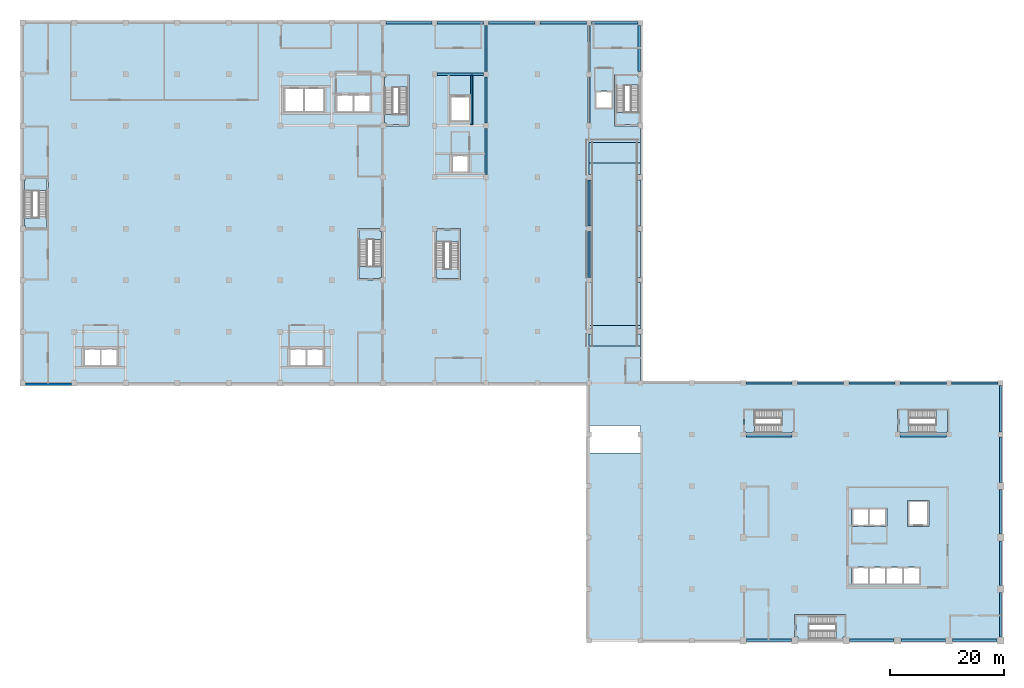
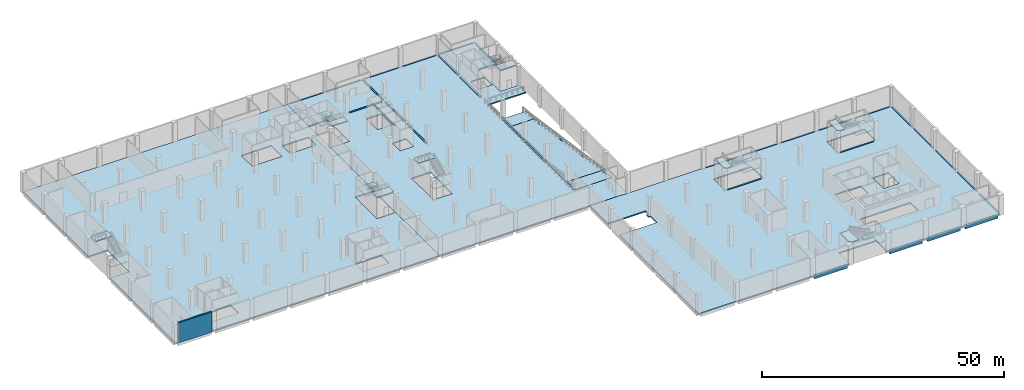
# One storey, part 2 of 16: 31 beams, 22 slabs, 1 wall, 8 elements without a shape of their own.
"""IFC4 building model written with IfcOpenShell, lengths in metres."""

from ifc_helpers import new_model, si_unit, direction, frame, frame_2d, origin, origin_2d, place, context, subcontext, project, spatial, polyline, rectangle, outline, extrude, material, layer, layer_set, material_profile, profile_set, type_object, element, aggregate, save


model = new_model("IFC4")

# Units and contexts
model_context = context("Model", 3, precision=1e-05, world=origin(), true_north=direction((0.0, 1.0)))
body_context = subcontext(model_context, "Body", "Model", "MODEL_VIEW")
ifc_project = project(units=[si_unit("LENGTHUNIT", "METRE"), si_unit("AREAUNIT", "SQUARE_METRE"), si_unit("VOLUMEUNIT", "CUBIC_METRE"), si_unit("PLANEANGLEUNIT", "RADIAN"), si_unit("MASSUNIT", "GRAM", prefix="KILO")], contexts=[model_context])

# Site, building, storey
site_placement = place(None, origin())
site = spatial("IfcSite", under=ifc_project, at=site_placement, CompositionType="ELEMENT")
building_placement = place(site_placement, origin())
building = spatial("IfcBuilding", under=site, at=building_placement, Name="Guidao Yard Department Store", CompositionType="ELEMENT")
storey_placement = place(building_placement, frame((0.0, 0.0, -5.10009765625)))
storey = spatial("IfcBuildingStorey", under=building, at=storey_placement, Name="B1", CompositionType="ELEMENT", Elevation=-5.10009765625)

# Beams
ifc_material_1 = material(Name="Concrete C40", Category="concrete")
ifc_material_profile_1 = material_profile(ifc_material_1, rectangle(XDim=0.39990234375, YDim=0.800048828125, at=origin_2d()), Name="Edge beam 400 x 800 C40")
ifc_profile_set_1 = profile_set([ifc_material_profile_1], Name="Concrete C40")
beam_type_1 = type_object("IfcBeamType", Name="Edge beam 400 x 800 C40", PredefinedType="BEAM", material=ifc_profile_set_1)
for number, where, z_axis, x_axis, name in (
    (1, (81.0, 81.449951171875, -0.39990234375), (0.0, 1.0, 0.0), (-1.0, 0.0, 0.0), "Beam EB47"),
    (2, (81.0, 90.449951171875, -0.39990234375), (0.0, 1.0, 0.0), (-1.0, 0.0, 0.0), "Beam EB48"),
    (3, (81.0, 99.449951171875, -0.39990234375), (0.0, 1.0, 0.0), (-1.0, 0.0, 0.0), "Beam EB49"),
    (4, (99.0, 90.449951171875, -0.39990234375), (0.0, 1.0, 0.0), (-1.0, 0.0, 0.0), "Beam EB50"),
    (5, (99.0, 99.449951171875, -0.39990234375), (0.0, 1.0, 0.0), (-1.0, 0.0, 0.0), "Beam EB51"),
    (6, (126.449951171875, 35.800048828125, -0.39990234375), (1.0, 0.0, 0.0), (0.0, 1.0, 0.0), "Beam EB76"),
    (7, (153.449951171875, 35.800048828125, -0.39990234375), (1.0, 0.0, 0.0), (0.0, 1.0, 0.0), "Beam EB77"),
    (8, (72.449951171875, 99.0, -0.39990234375), (1.0, 0.0, 0.0), (0.0, 1.0, 0.0), "Beam EB93"),
):
    element("IfcBeam", number, at=place(storey_placement, frame(where, z_axis=z_axis, x_axis=x_axis)), inside=storey, type_object=beam_type_1, Name=name, PredefinedType="BEAM", context=body_context, shape_type="SweptSolid", body=[
        extrude(rectangle(XDim=0.39990234375, YDim=0.800048828125, at=origin_2d()), origin(), (0.0, 0.0, 1.0), 8.10009765625),
    ])
ifc_material_2 = material(Name="Concrete C40", Category="concrete")
ifc_material_profile_2 = material_profile(ifc_material_2, rectangle(XDim=0.300048828125, YDim=0.60009765625, at=origin_2d()), Name="Opening beam 300 x 600 C40")
ifc_profile_set_2 = profile_set([ifc_material_profile_2], Name="Concrete C40")
beam_type_2 = type_object("IfcBeamType", Name="Opening beam 300 x 600 C40", PredefinedType="BEAM", material=ifc_profile_set_2)
beam_1_placement = place(storey_placement, frame((78.5, 90.199951171875, -0.2998046875), z_axis=(0.0, 1.0, 0.0), x_axis=(-1.0, 0.0, 0.0)))
element("IfcBeam", 9, at=beam_1_placement, inside=storey, type_object=beam_type_2, Name="Beam OB22", PredefinedType="BEAM", context=body_context, shape_type="SweptSolid", body=[
    extrude(rectangle(XDim=0.300048828125, YDim=0.60009765625, at=origin_2d()), origin(), (0.0, 0.0, 1.0), 8.60009765625),
])
ifc_material_3 = material(Name="Concrete C40", Category="concrete")
ifc_material_profile_3 = material_profile(ifc_material_3, rectangle(XDim=0.39990234375, YDim=0.800048828125, at=origin_2d()), Name="Spandrel beam 400 x 800 C40")
ifc_profile_set_3 = profile_set([ifc_material_profile_3], Name="Concrete C40")
beam_type_3 = type_object("IfcBeamType", Name="Spandrel beam 400 x 800 C40", PredefinedType="SPANDREL", material=ifc_profile_set_3)
beam_2_placement = place(storey_placement, frame((63.5, 108.0, -0.39990234375), z_axis=(1.0, 0.0, 0.0), x_axis=(0.0, 1.0, 0.0)))
element("IfcBeam", 10, at=beam_2_placement, inside=storey, type_object=beam_type_3, Name="Beam EB28", PredefinedType="SPANDREL", context=body_context, shape_type="SweptSolid", body=[
    extrude(rectangle(XDim=0.39990234375, YDim=0.800048828125, at=origin_2d()), origin(), (0.0, 0.0, 1.0), 8.050048828125),
])
for number, where, z_axis, x_axis, name in (
    (11, (72.449951171875, 108.0, -0.39990234375), (1.0, 0.0, 0.0), (0.0, 1.0, 0.0), "Beam EB29"),
    (12, (81.449951171875, 108.0, -0.39990234375), (1.0, 0.0, 0.0), (0.0, 1.0, 0.0), "Beam EB30"),
    (13, (90.449951171875, 108.0, -0.39990234375), (1.0, 0.0, 0.0), (0.0, 1.0, 0.0), "Beam EB31"),
    (14, (99.449951171875, 108.0, -0.39990234375), (1.0, 0.0, 0.0), (0.0, 1.0, 0.0), "Beam EB32"),
    (15, (107.800048828125, 99.449951171875, -0.39990234375), (0.0, 1.0, 0.0), (-1.0, 0.0, 0.0), "Beam EB33"),
    (16, (99.0, 63.449951171875, -0.39990234375), (0.0, 1.0, 0.0), (-1.0, 0.0, 0.0), "Beam EB35"),
    (17, (99.0, 72.449951171875, -0.39990234375), (0.0, 1.0, 0.0), (-1.0, 0.0, 0.0), "Beam EB36"),
    (18, (126.449951171875, 45.0, -0.39990234375), (1.0, 0.0, 0.0), (0.0, 1.0, 0.0), "Beam EB54"),
    (19, (135.449951171875, 45.0, -0.39990234375), (1.0, 0.0, 0.0), (0.0, 1.0, 0.0), "Beam EB55"),
    (20, (144.449951171875, 45.0, -0.39990234375), (1.0, 0.0, 0.0), (0.0, 1.0, 0.0), "Beam EB56"),
    (21, (153.449951171875, 45.0, -0.39990234375), (1.0, 0.0, 0.0), (0.0, 1.0, 0.0), "Beam EB57"),
    (22, (162.449951171875, 45.0, -0.39990234375), (1.0, 0.0, 0.0), (0.0, 1.0, 0.0), "Beam EB58"),
):
    element("IfcBeam", number, at=place(storey_placement, frame(where, z_axis=z_axis, x_axis=x_axis)), inside=storey, type_object=beam_type_3, Name=name, PredefinedType="SPANDREL", context=body_context, shape_type="SweptSolid", body=[
        extrude(rectangle(XDim=0.39990234375, YDim=0.800048828125, at=origin_2d()), origin(), (0.0, 0.0, 1.0), 8.10009765625),
    ])
for number, where, z_axis, x_axis, name in (
    (23, (171.0, 0.60009765625, -0.39990234375), (0.0, 1.0, 0.0), (-1.0, 0.0, 0.0), "Beam EB59"),
    (24, (171.0, 9.60009765625, -0.39990234375), (0.0, 1.0, 0.0), (-1.0, 0.0, 0.0), "Beam EB60"),
    (25, (171.0, 18.60009765625, -0.39990234375), (0.0, 1.0, 0.0), (-1.0, 0.0, 0.0), "Beam EB61"),
):
    element("IfcBeam", number, at=place(storey_placement, frame(where, z_axis=z_axis, x_axis=x_axis)), inside=storey, type_object=beam_type_3, Name=name, PredefinedType="SPANDREL", context=body_context, shape_type="SweptSolid", body=[
        extrude(rectangle(XDim=0.39990234375, YDim=0.800048828125, at=origin_2d()), origin(), (0.0, 0.0, 1.0), 7.7998046875),
    ])
beam_3_placement = place(storey_placement, frame((171.0, 27.60009765625, -0.39990234375), z_axis=(0.0, 1.0, 0.0), x_axis=(-1.0, 0.0, 0.0)))
element("IfcBeam", 26, at=beam_3_placement, inside=storey, type_object=beam_type_3, Name="Beam EB62", PredefinedType="SPANDREL", context=body_context, shape_type="SweptSolid", body=[
    extrude(rectangle(XDim=0.39990234375, YDim=0.800048828125, at=origin_2d()), origin(), (0.0, 0.0, 1.0), 7.949951171875),
])
beam_4_placement = place(storey_placement, frame((171.0, 36.449951171875, -0.39990234375), z_axis=(0.0, 1.0, 0.0), x_axis=(-1.0, 0.0, 0.0)))
element("IfcBeam", 27, at=beam_4_placement, inside=storey, type_object=beam_type_3, Name="Beam EB63", PredefinedType="SPANDREL", context=body_context, shape_type="SweptSolid", body=[
    extrude(rectangle(XDim=0.39990234375, YDim=0.800048828125, at=origin_2d()), origin(), (0.0, 0.0, 1.0), 8.10009765625),
])
for number, where, z_axis, x_axis, name in (
    (28, (144.60009765625, 0.0, -0.39990234375), (1.0, 0.0, 0.0), (0.0, 1.0, 0.0), "Beam EB64"),
    (29, (153.60009765625, 0.0, -0.39990234375), (1.0, 0.0, 0.0), (0.0, 1.0, 0.0), "Beam EB65"),
    (30, (162.60009765625, 0.0, -0.39990234375), (1.0, 0.0, 0.0), (0.0, 1.0, 0.0), "Beam EB66"),
    (31, (126.60009765625, 0.0, -0.39990234375), (1.0, 0.0, 0.0), (0.0, 1.0, 0.0), "Beam EB70"),
):
    element("IfcBeam", number, at=place(storey_placement, frame(where, z_axis=z_axis, x_axis=x_axis)), inside=storey, type_object=beam_type_3, Name=name, PredefinedType="SPANDREL", context=body_context, shape_type="SweptSolid", body=[
        extrude(rectangle(XDim=0.39990234375, YDim=0.800048828125, at=origin_2d()), origin(), (0.0, 0.0, 1.0), 7.7998046875),
    ])

# Slabs
ifc_material_4 = material(Name="Concrete C35", Category="concrete")
ifc_layer_1 = layer(ifc_material_4, 0.449951171875)
ifc_layer_set_1 = layer_set([ifc_layer_1], Name="Car park ramp slab RC 450 C35")
slab_type_1 = type_object("IfcSlabType", Name="Car park ramp slab RC 450 C35", PredefinedType="USERDEFINED", material=ifc_layer_set_1)
slab_1_placement = place(storey_placement, frame((108.0, 51.5, 0.0), z_axis=(0.0, 0.0747896038, 0.997199335722), x_axis=(0.0, 0.997199335722, -0.0747896038)))
element("IfcSlab", 32, at=slab_1_placement, inside=storey, type_object=slab_type_1, Name="Car park ramp B slab 1", ObjectType="CAR RAMP", PredefinedType="USERDEFINED", context=body_context, shape_type="SweptSolid", body=[
    extrude(outline(polyline([(0.0, 0.0), (2.0557923542099115, 0.0), (2.0557923542099115, 0.449951171875), (2.9582321666420692, 0.449951171875), (2.9582321666420692, 0.0), (3.6102096451055474, 0.0), (3.6102096451055474, 9.0), (2.9582321666420692, 9.0), (2.9582321666420692, 8.550048828125), (2.0557923542099115, 8.550048828125), (2.0557923542099115, 9.0), (0.0, 9.0), (0.0, 0.0)])), origin(), (0.0747896038, 0.0, -0.997199335722), 0.451171875),
])
slab_2_placement = place(storey_placement, frame((108.0, 55.10009765625, -0.27001953125), z_axis=(0.0, 0.148332646398, 0.988937523817), x_axis=(0.0, 0.988937523817, -0.148332646398)))
element("IfcSlab", 33, at=slab_2_placement, inside=storey, type_object=slab_type_1, Name="Car park ramp B slab 2", ObjectType="CAR RAMP", PredefinedType="USERDEFINED", context=body_context, shape_type="SweptSolid", body=[
    extrude(outline(polyline([(0.0, 0.0), (7.533287856891622, 0.0), (7.533287856891622, 0.449951171875), (8.44326140822126, 0.449951171875), (8.44326140822126, 0.0), (16.633952915463585, 0.0), (16.633952915463585, 0.449951171875), (17.54392646679322, 0.449951171875), (17.54392646679322, 0.0), (25.734654188060546, 0.0), (25.734654188060546, 0.449951171875), (26.64462773939018, 0.449951171875), (26.64462773939018, 0.0), (28.71759140865369, 0.0), (28.71759140865369, 9.0), (26.64462773939018, 9.0), (26.64462773939018, 8.550048828125), (25.734654188060546, 8.550048828125), (25.734654188060546, 9.0), (17.54392646679322, 9.0), (17.54392646679322, 8.550048828125), (16.633952915463585, 8.550048828125), (16.633952915463585, 9.0), (8.44326140822126, 9.0), (8.44326140822126, 8.550048828125), (7.533287856891622, 8.550048828125), (7.533287856891622, 9.0), (0.0, 9.0), (0.0, 0.0)])), origin(), (0.148332646398, 0.0, -0.988937523817), 0.455078125),
])
slab_3_placement = place(storey_placement, frame((99.0, 83.5, -4.52978515625), z_axis=(0.0, 0.074793310581, 0.997199057707), x_axis=(1.0, 0.0, 0.0)))
element("IfcSlab", 34, at=slab_3_placement, inside=storey, type_object=slab_type_1, Name="Car park ramp B slab 3", ObjectType="CAR RAMP", PredefinedType="USERDEFINED", context=body_context, shape_type="SweptSolid", body=[
    extrude(outline(polyline([(0.0, 0.0), (9.0, 0.0), (9.0, 3.610209645130489), (0.0, 3.610209645130489), (0.0, 0.0)])), origin(), (0.0, 0.074793310581, -0.997199057707), 0.451171875),
])
ifc_material_5 = material(Name="Concrete C35", Category="concrete")
ifc_layer_2 = layer(ifc_material_5, 0.300048828125)
ifc_layer_set_2 = layer_set([ifc_layer_2], Name="Flat slab 300 C35")
slab_type_2 = type_object("IfcSlabType", Name="Flat slab 300 C35", PredefinedType="FLOOR", material=ifc_layer_set_2)
slab_4_placement = place(storey_placement, frame((0.0, 0.0, -0.2998046875)))
element("IfcSlab", 35, at=slab_4_placement, inside=storey, type_object=slab_type_2, Name="Slab B1-H", PredefinedType="FLOOR", context=body_context, shape_type="SweptSolid", body=[
    extrude(outline(polyline([(0.0, 45.0), (0.0, 72.0), (4.5, 72.0), (4.5, 81.0), (0.0, 81.0), (0.0, 108.0), (63.0, 108.0), (63.0, 99.0), (63.0, 90.0), (63.0, 72.0), (58.5, 72.0), (58.5, 63.0), (63.0, 63.0), (63.0, 45.0), (0.0, 45.0)]), holes=[polyline([(13.75, 47.89990234375), (16.699951171875, 47.89990234375), (16.699951171875, 51.10009765625), (13.75, 51.10009765625), (13.5, 51.10009765625), (10.550048828125, 51.10009765625), (10.550048828125, 47.89990234375), (13.5, 47.89990234375), (13.75, 47.89990234375)]), polyline([(52.699951171875, 51.10009765625), (49.75, 51.10009765625), (49.5, 51.10009765625), (46.550048828125, 51.10009765625), (46.550048828125, 47.89990234375), (49.5, 47.89990234375), (49.75, 47.89990234375), (52.699951171875, 47.89990234375), (52.699951171875, 51.10009765625)]), polyline([(57.699951171875, 92.300048828125), (57.949951171875, 92.300048828125), (60.89990234375, 92.300048828125), (60.89990234375, 95.5), (57.949951171875, 95.5), (57.699951171875, 95.5), (54.75, 95.5), (54.75, 92.300048828125), (57.699951171875, 92.300048828125)]), polyline([(49.050048828125, 92.25), (49.300048828125, 92.25), (52.75, 92.25), (52.75, 96.75), (49.300048828125, 96.75), (49.050048828125, 96.75), (45.60009765625, 96.75), (45.60009765625, 92.25), (49.050048828125, 92.25)])]), origin(), (0.0, 0.0, 1.0), 0.2998046875),
])
slab_5_placement = place(storey_placement, frame((0.0, 0.0, -0.2998046875)))
element("IfcSlab", 36, at=slab_5_placement, inside=storey, type_object=slab_type_2, Name="Slab B1-A", PredefinedType="FLOOR", context=body_context, shape_type="SweptSolid", body=[
    extrude(outline(polyline([(63.0, 45.0), (63.0, 63.0), (63.0, 72.0), (63.0, 90.0), (67.5, 90.0), (67.5, 99.0), (63.0, 99.0), (63.0, 108.0), (108.0, 108.0), (108.0, 99.0), (103.5, 99.0), (103.5, 90.0), (108.0, 90.0), (108.0, 87.10009765625), (99.0, 87.10009765625), (99.0, 51.5), (108.0, 51.5), (108.0, 45.0), (63.0, 45.0)]), holes=[polyline([(72.0, 63.0), (76.5, 63.0), (76.5, 72.0), (72.0, 72.0), (72.0, 63.0)]), polyline([(74.89990234375, 81.75), (78.10009765625, 81.75), (78.10009765625, 84.949951171875), (74.89990234375, 84.949951171875), (74.89990234375, 81.75)]), polyline([(74.64990234375, 90.75), (78.35009765625, 90.75), (78.35009765625, 95.25), (74.64990234375, 95.25), (74.64990234375, 90.75)]), polyline([(100.050048828125, 92.89990234375), (103.25, 92.89990234375), (103.25, 96.10009765625), (100.050048828125, 96.10009765625), (100.050048828125, 92.89990234375)])]), origin(), (0.0, 0.0, 1.0), 0.2998046875),
])
slab_6_placement = place(storey_placement, frame((0.0, 0.0, -0.2998046875)))
element("IfcSlab", 37, at=slab_6_placement, inside=storey, type_object=slab_type_2, Name="Slab B1-T", PredefinedType="FLOOR", context=body_context, shape_type="SweptSolid", body=[
    extrude(outline(polyline([(171.0, 45.0), (171.0, 0.0), (144.0, 0.0), (144.0, 4.5), (135.0, 4.5), (135.0, 0.0), (99.0, 0.0), (99.0, 32.800048828125), (108.0, 32.800048828125), (108.0, 35.550048828125), (107.550048828125, 35.550048828125), (107.550048828125, 36.449951171875), (108.0, 36.449951171875), (108.0, 37.60009765625), (99.0, 37.60009765625), (99.0, 45.0), (171.0, 45.0)]), holes=[polyline([(148.14990234375, 12.85009765625), (147.89990234375, 12.85009765625), (144.949951171875, 12.85009765625), (144.949951171875, 9.64990234375), (147.89990234375, 9.64990234375), (148.14990234375, 9.64990234375), (150.85009765625, 9.64990234375), (151.10009765625, 9.64990234375), (153.800048828125, 9.64990234375), (154.050048828125, 9.64990234375), (157.0, 9.64990234375), (157.0, 12.85009765625), (154.050048828125, 12.85009765625), (153.800048828125, 12.85009765625), (151.10009765625, 12.85009765625), (150.85009765625, 12.85009765625), (148.14990234375, 12.85009765625)]), polyline([(147.89990234375, 19.949951171875), (148.14990234375, 19.949951171875), (151.10009765625, 19.949951171875), (151.10009765625, 23.14990234375), (148.14990234375, 23.14990234375), (147.89990234375, 23.14990234375), (144.949951171875, 23.14990234375), (144.949951171875, 19.949951171875), (147.89990234375, 19.949951171875)]), polyline([(158.449951171875, 19.949951171875), (158.449951171875, 24.449951171875), (154.75, 24.449951171875), (154.75, 19.949951171875), (158.449951171875, 19.949951171875)]), polyline([(126.0, 36.0), (135.0, 36.0), (135.0, 40.5), (126.0, 40.5), (126.0, 36.0)]), polyline([(153.0, 36.0), (162.0, 36.0), (162.0, 40.5), (153.0, 40.5), (153.0, 36.0)])]), origin(), (0.0, 0.0, 1.0), 0.2998046875),
])

# Stair, slabs
ifc_material_6 = material(Name="Concrete C35", Category="concrete")
stair_type = type_object("IfcStairType", Name="Stair half-turn two-flight 1400 wide 5.1 m rise", PredefinedType="HALF_TURN_STAIR", material=ifc_material_6)
stair_1_placement = place(storey_placement, origin())
stair_1 = element("IfcStair", 38, at=stair_1_placement, inside=storey, type_object=stair_type, Name="Basement stair G1 B1 to L00", PredefinedType="HALF_TURN_STAIR")
ifc_material_7 = material(Name="Concrete C35", Category="concrete")
ifc_layer_3 = layer(ifc_material_7, 0.25)
ifc_layer_set_3 = layer_set([ifc_layer_3], Name="Stair landing RC 250 C35")
slab_type_3 = type_object("IfcSlabType", Name="Stair landing RC 250 C35", PredefinedType="LANDING", material=ifc_layer_set_3)
slab_7_placement = place(storey_placement, frame((0.0, 0.0, 2.300048828125)))
slab_7 = element("IfcSlab", 39, at=slab_7_placement, type_object=slab_type_3, Name="BSG1-B1 landing 1", PredefinedType="LANDING", context=body_context, shape_type="SweptSolid", body=[
    extrude(outline(polyline([(72.449951171875, 63.25), (72.449951171875, 63.449951171875), (72.25, 63.449951171875), (72.25, 64.89990234375), (72.25, 64.909912109375), (73.64990234375, 64.909912109375), (73.64990234375, 64.89990234375), (74.800048828125, 64.89990234375), (74.800048828125, 66.969970703125), (76.199951171875, 66.969970703125), (76.199951171875, 64.89990234375), (76.25, 64.89990234375), (76.25, 63.25), (72.449951171875, 63.25)])), origin(), (0.0, 0.0, 1.0), 0.25),
])
slab_8_placement = place(storey_placement, frame((0.0, 0.0, 4.85009765625)))
slab_8 = element("IfcSlab", 40, at=slab_8_placement, type_object=slab_type_3, Name="BSG1-B1 landing 2", PredefinedType="LANDING", context=body_context, shape_type="SweptSolid", body=[
    extrude(outline(polyline([(74.800048828125, 69.68994140625), (74.800048828125, 69.699951171875), (72.25, 69.699951171875), (72.25, 71.550048828125), (72.449951171875, 71.550048828125), (72.449951171875, 71.75), (74.800048828125, 71.75), (76.25, 71.75), (76.25, 69.68994140625), (74.800048828125, 69.68994140625)])), origin(), (0.0, 0.0, 1.0), 0.25),
])
aggregate(stair_1, [slab_7, slab_8])

stair_2_placement = place(storey_placement, origin())
stair_2 = element("IfcStair", 41, at=stair_2_placement, inside=storey, type_object=stair_type, Name="Basement stair G2 B1 to L00", PredefinedType="HALF_TURN_STAIR")
slab_9_placement = place(storey_placement, frame((0.0, 0.0, 2.300048828125)))
slab_9 = element("IfcSlab", 42, at=slab_9_placement, type_object=slab_type_3, Name="BSG2-B1 landing 1", PredefinedType="LANDING", context=body_context, shape_type="SweptSolid", body=[
    extrude(outline(polyline([(103.800048828125, 97.10009765625), (103.75, 97.10009765625), (103.75, 98.75), (107.550048828125, 98.75), (107.550048828125, 98.550048828125), (107.75, 98.550048828125), (107.75, 97.10009765625), (107.75, 97.090087890625), (106.35009765625, 97.090087890625), (106.35009765625, 97.10009765625), (105.199951171875, 97.10009765625), (105.199951171875, 95.030029296875), (103.800048828125, 95.030029296875), (103.800048828125, 97.10009765625)])), origin(), (0.0, 0.0, 1.0), 0.25),
])
slab_10_placement = place(storey_placement, frame((0.0, 0.0, 4.85009765625)))
slab_10 = element("IfcSlab", 43, at=slab_10_placement, type_object=slab_type_3, Name="BSG2-B1 landing 2", PredefinedType="LANDING", context=body_context, shape_type="SweptSolid", body=[
    extrude(outline(polyline([(107.550048828125, 90.449951171875), (107.550048828125, 90.25), (105.199951171875, 90.25), (103.75, 90.25), (103.75, 92.31005859375), (105.199951171875, 92.31005859375), (105.199951171875, 92.300048828125), (107.75, 92.300048828125), (107.75, 90.449951171875), (107.550048828125, 90.449951171875)])), origin(), (0.0, 0.0, 1.0), 0.25),
])
aggregate(stair_2, [slab_9, slab_10])

stair_3_placement = place(storey_placement, origin())
stair_3 = element("IfcStair", 44, at=stair_3_placement, inside=storey, type_object=stair_type, Name="Basement stair H1 B1 to L00", PredefinedType="HALF_TURN_STAIR")
slab_11_placement = place(storey_placement, frame((0.0, 0.0, 2.300048828125)))
slab_11 = element("IfcSlab", 45, at=slab_11_placement, type_object=slab_type_3, Name="BSH1-B1 landing 1", PredefinedType="LANDING", context=body_context, shape_type="SweptSolid", body=[
    extrude(outline(polyline([(0.5, 72.25), (0.5, 72.5), (0.25, 72.5), (0.25, 73.85009765625), (0.25, 73.860107421875), (1.64990234375, 73.860107421875), (1.64990234375, 73.85009765625), (2.800048828125, 73.85009765625), (2.800048828125, 75.919921875), (4.199951171875, 75.919921875), (4.199951171875, 73.85009765625), (4.25, 73.85009765625), (4.25, 72.25), (0.5, 72.25)])), origin(), (0.0, 0.0, 1.0), 0.25),
])
slab_12_placement = place(storey_placement, frame((0.0, 0.0, 4.85009765625)))
slab_12 = element("IfcSlab", 46, at=slab_12_placement, type_object=slab_type_3, Name="BSH1-B1 landing 2", PredefinedType="LANDING", context=body_context, shape_type="SweptSolid", body=[
    extrude(outline(polyline([(2.800048828125, 78.639892578125), (2.800048828125, 78.64990234375), (0.25, 78.64990234375), (0.25, 80.5), (0.5, 80.5), (0.5, 80.75), (2.800048828125, 80.75), (4.25, 80.75), (4.25, 78.639892578125), (2.800048828125, 78.639892578125)])), origin(), (0.0, 0.0, 1.0), 0.25),
])
aggregate(stair_3, [slab_11, slab_12])

stair_4_placement = place(storey_placement, origin())
stair_4 = element("IfcStair", 47, at=stair_4_placement, inside=storey, type_object=stair_type, Name="Basement stair H2 B1 to L00", PredefinedType="HALF_TURN_STAIR")
slab_13_placement = place(storey_placement, frame((0.0, 0.0, 2.300048828125)))
slab_13 = element("IfcSlab", 48, at=slab_13_placement, type_object=slab_type_3, Name="BSH2-B1 landing 1", PredefinedType="LANDING", context=body_context, shape_type="SweptSolid", body=[
    extrude(outline(polyline([(63.300048828125, 96.75), (63.25, 96.75), (63.25, 98.5), (63.5, 98.5), (63.5, 98.75), (67.25, 98.75), (67.25, 96.75), (67.25, 96.739990234375), (65.85009765625, 96.739990234375), (65.85009765625, 96.75), (64.699951171875, 96.75), (64.699951171875, 94.679931640625), (63.300048828125, 94.679931640625), (63.300048828125, 96.75)])), origin(), (0.0, 0.0, 1.0), 0.25),
])
slab_14_placement = place(storey_placement, frame((0.0, 0.0, 4.85009765625)))
slab_14 = element("IfcSlab", 49, at=slab_14_placement, type_object=slab_type_3, Name="BSH2-B1 landing 2", PredefinedType="LANDING", context=body_context, shape_type="SweptSolid", body=[
    extrude(outline(polyline([(64.699951171875, 90.25), (63.5, 90.25), (63.5, 90.5), (63.25, 90.5), (63.25, 91.9599609375), (64.699951171875, 91.9599609375), (64.699951171875, 91.949951171875), (67.25, 91.949951171875), (67.25, 90.25), (64.699951171875, 90.25)])), origin(), (0.0, 0.0, 1.0), 0.25),
])
aggregate(stair_4, [slab_13, slab_14])

stair_5_placement = place(storey_placement, origin())
stair_5 = element("IfcStair", 50, at=stair_5_placement, inside=storey, type_object=stair_type, Name="Basement stair H3 B1 to L00", PredefinedType="HALF_TURN_STAIR")
slab_15_placement = place(storey_placement, frame((0.0, 0.0, 2.300048828125)))
slab_15 = element("IfcSlab", 51, at=slab_15_placement, type_object=slab_type_3, Name="BSH3-B1 landing 1", PredefinedType="LANDING", context=body_context, shape_type="SweptSolid", body=[
    extrude(outline(polyline([(58.800048828125, 70.14990234375), (58.75, 70.14990234375), (58.75, 71.75), (62.5, 71.75), (62.5, 71.5), (62.75, 71.5), (62.75, 70.14990234375), (62.75, 70.139892578125), (61.35009765625, 70.139892578125), (61.35009765625, 70.14990234375), (60.199951171875, 70.14990234375), (60.199951171875, 68.080078125), (58.800048828125, 68.080078125), (58.800048828125, 70.14990234375)])), origin(), (0.0, 0.0, 1.0), 0.25),
])
slab_16_placement = place(storey_placement, frame((0.0, 0.0, 4.85009765625)))
slab_16 = element("IfcSlab", 52, at=slab_16_placement, type_object=slab_type_3, Name="BSH3-B1 landing 2", PredefinedType="LANDING", context=body_context, shape_type="SweptSolid", body=[
    extrude(outline(polyline([(62.5, 63.5), (62.5, 63.25), (60.199951171875, 63.25), (58.75, 63.25), (58.75, 65.360107421875), (60.199951171875, 65.360107421875), (60.199951171875, 65.35009765625), (62.75, 65.35009765625), (62.75, 63.5), (62.5, 63.5)])), origin(), (0.0, 0.0, 1.0), 0.25),
])
aggregate(stair_5, [slab_15, slab_16])

stair_6_placement = place(storey_placement, origin())
stair_6 = element("IfcStair", 53, at=stair_6_placement, inside=storey, type_object=stair_type, Name="Basement stair O1 B1 to L00", PredefinedType="HALF_TURN_STAIR")
slab_17_placement = place(storey_placement, frame((0.0, 0.0, 2.300048828125)))
slab_17 = element("IfcSlab", 54, at=slab_17_placement, type_object=slab_type_3, Name="BSO1-B1 landing 1", PredefinedType="LANDING", context=body_context, shape_type="SweptSolid", body=[
    extrude(outline(polyline([(142.25, 1.64990234375), (142.25, 2.800048828125), (140.179931640625, 2.800048828125), (140.179931640625, 4.199951171875), (142.25, 4.199951171875), (142.25, 4.25), (143.75, 4.25), (143.75, 0.60009765625), (143.39990234375, 0.60009765625), (143.39990234375, 0.25), (142.25, 0.25), (142.239990234375, 0.25), (142.239990234375, 1.64990234375), (142.25, 1.64990234375)])), origin(), (0.0, 0.0, 1.0), 0.25),
])
slab_18_placement = place(storey_placement, frame((0.0, 0.0, 4.85009765625)))
slab_18 = element("IfcSlab", 55, at=slab_18_placement, type_object=slab_type_3, Name="BSO1-B1 landing 2", PredefinedType="LANDING", context=body_context, shape_type="SweptSolid", body=[
    extrude(outline(polyline([(135.60009765625, 0.60009765625), (135.25, 0.60009765625), (135.25, 2.800048828125), (135.25, 4.25), (137.4599609375, 4.25), (137.4599609375, 2.800048828125), (137.449951171875, 2.800048828125), (137.449951171875, 0.25), (135.60009765625, 0.25), (135.60009765625, 0.60009765625)])), origin(), (0.0, 0.0, 1.0), 0.25),
])
aggregate(stair_6, [slab_17, slab_18])

stair_7_placement = place(storey_placement, origin())
stair_7 = element("IfcStair", 56, at=stair_7_placement, inside=storey, type_object=stair_type, Name="Basement stair Y1 B1 to L00", PredefinedType="HALF_TURN_STAIR")
slab_19_placement = place(storey_placement, frame((0.0, 0.0, 2.300048828125)))
slab_19 = element("IfcSlab", 57, at=slab_19_placement, type_object=slab_type_3, Name="BSY1-B1 landing 1", PredefinedType="LANDING", context=body_context, shape_type="SweptSolid", body=[
    extrude(outline(polyline([(132.75, 37.699951171875), (132.75, 38.85009765625), (132.739990234375, 38.85009765625), (132.739990234375, 40.25), (132.75, 40.25), (134.75, 40.25), (134.75, 36.449951171875), (134.550048828125, 36.449951171875), (134.550048828125, 36.25), (132.75, 36.25), (132.75, 36.300048828125), (130.679931640625, 36.300048828125), (130.679931640625, 37.699951171875), (132.75, 37.699951171875)])), origin(), (0.0, 0.0, 1.0), 0.25),
])
slab_20_placement = place(storey_placement, frame((0.0, 0.0, 4.85009765625)))
slab_20 = element("IfcSlab", 58, at=slab_20_placement, type_object=slab_type_3, Name="BSY1-B1 landing 2", PredefinedType="LANDING", context=body_context, shape_type="SweptSolid", body=[
    extrude(outline(polyline([(126.449951171875, 36.25), (126.449951171875, 36.449951171875), (126.25, 36.449951171875), (126.25, 37.699951171875), (126.25, 40.25), (127.949951171875, 40.25), (127.949951171875, 37.699951171875), (127.9599609375, 37.699951171875), (127.9599609375, 36.25), (126.449951171875, 36.25)])), origin(), (0.0, 0.0, 1.0), 0.25),
])
aggregate(stair_7, [slab_19, slab_20])

stair_8_placement = place(storey_placement, origin())
stair_8 = element("IfcStair", 59, at=stair_8_placement, inside=storey, type_object=stair_type, Name="Basement stair Y2 B1 to L00", PredefinedType="HALF_TURN_STAIR")
slab_21_placement = place(storey_placement, frame((0.0, 0.0, 2.300048828125)))
slab_21 = element("IfcSlab", 60, at=slab_21_placement, type_object=slab_type_3, Name="BSY2-B1 landing 1", PredefinedType="LANDING", context=body_context, shape_type="SweptSolid", body=[
    extrude(outline(polyline([(159.75, 37.699951171875), (159.75, 38.85009765625), (159.739990234375, 38.85009765625), (159.739990234375, 40.25), (159.75, 40.25), (161.75, 40.25), (161.75, 36.449951171875), (161.550048828125, 36.449951171875), (161.550048828125, 36.25), (159.75, 36.25), (159.75, 36.300048828125), (157.679931640625, 36.300048828125), (157.679931640625, 37.699951171875), (159.75, 37.699951171875)])), origin(), (0.0, 0.0, 1.0), 0.25),
])
slab_22_placement = place(storey_placement, frame((0.0, 0.0, 4.85009765625)))
slab_22 = element("IfcSlab", 61, at=slab_22_placement, type_object=slab_type_3, Name="BSY2-B1 landing 2", PredefinedType="LANDING", context=body_context, shape_type="SweptSolid", body=[
    extrude(outline(polyline([(153.449951171875, 36.25), (153.449951171875, 36.449951171875), (153.25, 36.449951171875), (153.25, 37.699951171875), (153.25, 40.25), (154.949951171875, 40.25), (154.949951171875, 37.699951171875), (154.9599609375, 37.699951171875), (154.9599609375, 36.25), (153.449951171875, 36.25)])), origin(), (0.0, 0.0, 1.0), 0.25),
])
aggregate(stair_8, [slab_21, slab_22])

# Wall
ifc_material_8 = material(Name="Concrete C40", Category="concrete")
ifc_layer_4 = layer(ifc_material_8, 0.39990234375)
ifc_layer_set_4 = layer_set([ifc_layer_4], Name="Retaining wall 400 C40")
wall_type = type_object("IfcWallType", Name="Retaining wall 400 C40", PredefinedType="SOLIDWALL", material=ifc_layer_set_4)
wall_placement = place(storey_placement, frame((0.5, 44.800048828125, 0.0), z_axis=(0.0, 0.0, 1.0), x_axis=(1.0, 0.0, 0.0)))
element("IfcWall", 62, at=wall_placement, inside=storey, type_object=wall_type, Name="Retaining wall B1-018", PredefinedType="SOLIDWALL", context=body_context, shape_type="SweptSolid", body=[
    extrude(rectangle(XDim=8.0, YDim=0.39990234375, at=frame_2d((4.0, 0.0))), origin(), (0.0, 0.0, 1.0), 5.10009765625),
])

save(model, "model.ifc")
